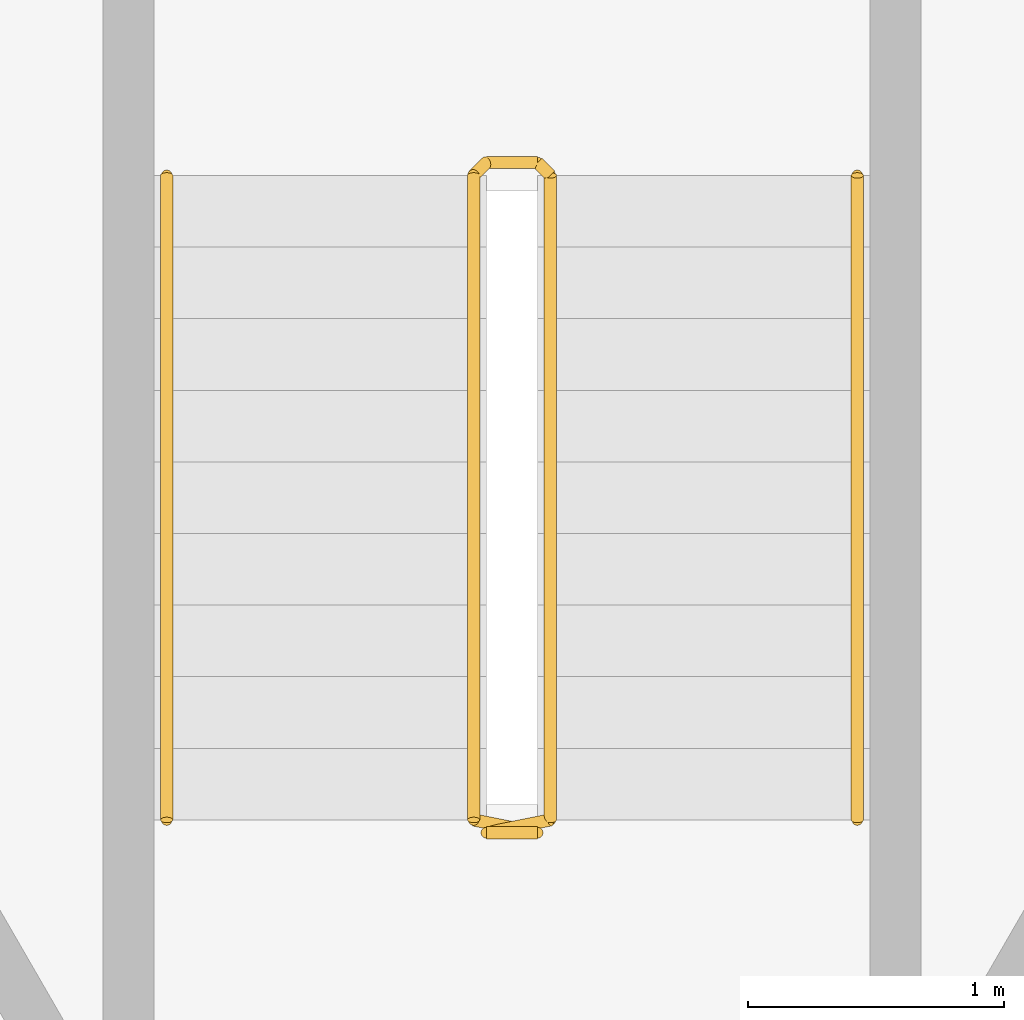
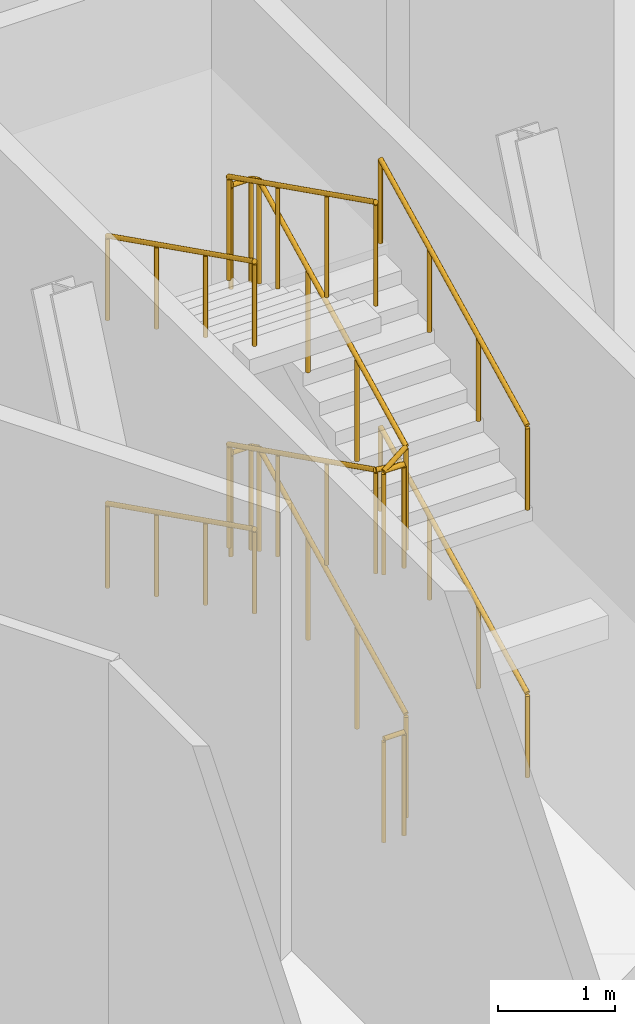
# One storey, part 21 of 25: 6 railings.
"""IFC4 building model written with IfcOpenShell, lengths in metres."""

from ifc_helpers import new_model, si_unit, direction, frame, origin, origin_2d, place, context, subcontext, project, spatial, circle, extrude, material, type_object, element, save


model = new_model("IFC4")

# Units and contexts
model_context = context("Model", 3, precision=1e-05, world=origin(), true_north=direction((0.0, 1.0)))
body_context = subcontext(model_context, "Body", "Model", "MODEL_VIEW")
ifc_project = project(units=[si_unit("LENGTHUNIT", "METRE"), si_unit("AREAUNIT", "SQUARE_METRE"), si_unit("VOLUMEUNIT", "CUBIC_METRE"), si_unit("PLANEANGLEUNIT", "RADIAN"), si_unit("MASSUNIT", "GRAM", prefix="KILO")], contexts=[model_context])

# Site, building, storey
site_placement = place(None, origin())
site = spatial("IfcSite", under=ifc_project, at=site_placement, CompositionType="ELEMENT")
building_placement = place(site_placement, origin())
building = spatial("IfcBuilding", under=site, at=building_placement, Name="Verrane Prism Tower", CompositionType="ELEMENT")
storey_placement = place(building_placement, frame((0.0, 0.0, 143.199951171875)))
storey = spatial("IfcBuildingStorey", under=building, at=storey_placement, Name="L35", CompositionType="ELEMENT", Elevation=143.199951171875)

# Railings
ifc_material_1 = material(Name="Steel A36 rail and posts, no infill", Category="steel")
railing_type_1 = type_object("IfcRailingType", Name="Stair guard 1100 steel rail and posts", PredefinedType="GUARDRAIL", material=ifc_material_1)
railing_1_placement = place(storey_placement, frame((0.14990234375, -13.699951171875, 0.14013671875)))
element("IfcRailing", 1, at=railing_1_placement, inside=storey, type_object=railing_type_1, Name="Stair 3 guard", PredefinedType="GUARDRAIL", context=body_context, shape_type="SweptSolid", body=[
    extrude(circle(Radius=0.02392578125, at=origin_2d()), frame((0.0, 0.0, 1.076171875), z_axis=(0.0, 0.894427191, 0.4472135955), x_axis=(-1.0, 0.0, 0.0)), (0.0, 0.0, 1.0), 2.8173828125),
    extrude(circle(Radius=0.02392578125, at=origin_2d()), frame((0.0, 2.52001953125, 2.3359375), z_axis=(-0.705375805398, 0.708833529934, 0.0), x_axis=(-0.708833529934, -0.705375805398, 0.0)), (0.0, 0.0, 1.0), 0.070556640625),
    extrude(circle(Radius=0.02392578125, at=origin_2d()), frame((-0.0498046875, 2.570068359375, 2.3359375), z_axis=(-1.0, 0.0, 0.0), x_axis=(0.0, -1.0, 0.0)), (0.0, 0.0, 1.0), 0.2001953125),
    extrude(circle(Radius=0.02392578125, at=origin_2d()), frame((-0.25, 2.570068359375, 2.3359375), z_axis=(-0.317831817711, -0.319389816817, 0.892733487982), x_axis=(0.708833529934, -0.705375805398, 0.0)), (0.0, 0.0, 1.0), 0.15673828125),
    extrude(circle(Radius=0.02392578125, at=origin_2d()), frame((-0.2998046875, 2.52001953125, 2.47607421875), z_axis=(0.0, -0.894427191, 0.4472135955), x_axis=(1.0, 0.0, 0.0)), (0.0, 0.0, 1.0), 2.8173828125),
    extrude(circle(Radius=0.02392578125, at=origin_2d()), frame((-0.2998046875, 0.0, 3.73583984375), z_axis=(0.98054382908, -0.196300278283, 0.0), x_axis=(0.196300278283, 0.98054382908, 0.0)), (0.0, 0.0, 1.0), 0.2548828125),
    extrude(circle(Radius=0.02392578125, at=origin_2d()), frame((-0.0498046875, -0.050048828125, 3.73583984375), z_axis=(-1.0, 0.0, 0.0), x_axis=(0.0, -1.0, 0.0)), (0.0, 0.0, 1.0), 0.2001953125),
    extrude(circle(Radius=0.02392578125, at=origin_2d()), frame((-0.25, -0.050048828125, 3.73583984375), z_axis=(0.859645652512, 0.172097030044, 0.481032186415), x_axis=(-0.196300278283, 0.98054382908, 0.0)), (0.0, 0.0, 1.0), 0.290771484375),
    extrude(circle(Radius=0.02392578125, at=origin_2d()), frame((0.0, 0.0, 3.8759765625), z_axis=(0.0, 0.894427191, 0.4472135955), x_axis=(-1.0, 0.0, 0.0)), (0.0, 0.0, 1.0), 2.8173828125),
    extrude(circle(Radius=0.02392578125, at=origin_2d()), frame((0.0, 2.52001953125, 5.1357421875), z_axis=(-0.705375805398, 0.708833529934, 0.0), x_axis=(-0.708833529934, -0.705375805398, 0.0)), (0.0, 0.0, 1.0), 0.070556640625),
    extrude(circle(Radius=0.02392578125, at=origin_2d()), frame((-0.0498046875, 2.570068359375, 5.1357421875), z_axis=(-1.0, 0.0, 0.0), x_axis=(0.0, -1.0, 0.0)), (0.0, 0.0, 1.0), 0.2001953125),
    extrude(circle(Radius=0.02392578125, at=origin_2d()), frame((-0.25, 2.570068359375, 5.1357421875), z_axis=(-0.317390288449, -0.318946123196, 0.89304914495), x_axis=(0.708833529934, -0.705375805398, 0.0)), (0.0, 0.0, 1.0), 0.156982421875),
    extrude(circle(Radius=0.02392578125, at=origin_2d()), frame((-0.2998046875, 2.52001953125, 5.27587890625), z_axis=(0.0, -0.894427191, 0.4472135955), x_axis=(1.0, 0.0, 0.0)), (0.0, 0.0, 1.0), 2.8173828125),
    extrude(circle(Radius=0.02099609375, at=origin_2d()), origin(), (0.0, 0.0, 1.0), 1.052001953125),
    extrude(circle(Radius=0.02099609375, at=origin_2d()), frame((0.0, 0.840087890625, 0.419921875)), (0.0, 0.0, 1.0), 1.052001953125),
    extrude(circle(Radius=0.02099609375, at=origin_2d()), frame((0.0, 1.679931640625, 0.840087890625)), (0.0, 0.0, 1.0), 1.052001953125),
    extrude(circle(Radius=0.02099609375, at=origin_2d()), frame((0.0, 2.52001953125, 1.260009765625)), (0.0, 0.0, 1.0), 1.052001953125),
    extrude(circle(Radius=0.02099609375, at=origin_2d()), frame((-0.0498046875, 2.570068359375, 1.260009765625)), (0.0, 0.0, 1.0), 1.052001953125),
    extrude(circle(Radius=0.02099609375, at=origin_2d()), frame((-0.25, 2.570068359375, 1.260009765625)), (0.0, 0.0, 1.0), 1.052001953125),
    extrude(circle(Radius=0.02099609375, at=origin_2d()), frame((-0.2998046875, 2.52001953125, 1.39990234375)), (0.0, 0.0, 1.0), 1.052001953125),
    extrude(circle(Radius=0.02099609375, at=origin_2d()), frame((-0.2998046875, 1.679931640625, 1.81982421875)), (0.0, 0.0, 1.0), 1.052001953125),
    extrude(circle(Radius=0.02099609375, at=origin_2d()), frame((-0.2998046875, 0.840087890625, 2.239990234375)), (0.0, 0.0, 1.0), 1.052001953125),
    extrude(circle(Radius=0.02099609375, at=origin_2d()), frame((-0.2998046875, 0.0, 2.659912109375)), (0.0, 0.0, 1.0), 1.052001953125),
    extrude(circle(Radius=0.02099609375, at=origin_2d()), frame((-0.0498046875, -0.050048828125, 2.659912109375)), (0.0, 0.0, 1.0), 1.052001953125),
    extrude(circle(Radius=0.02099609375, at=origin_2d()), frame((-0.25, -0.050048828125, 2.659912109375)), (0.0, 0.0, 1.0), 1.052001953125),
    extrude(circle(Radius=0.02099609375, at=origin_2d()), frame((0.0, 0.0, 2.7998046875)), (0.0, 0.0, 1.0), 1.052001953125),
    extrude(circle(Radius=0.02099609375, at=origin_2d()), frame((0.0, 0.840087890625, 3.2197265625)), (0.0, 0.0, 1.0), 1.052001953125),
    extrude(circle(Radius=0.02099609375, at=origin_2d()), frame((0.0, 1.679931640625, 3.639892578125)), (0.0, 0.0, 1.0), 1.052001953125),
    extrude(circle(Radius=0.02099609375, at=origin_2d()), frame((0.0, 2.52001953125, 4.059814453125)), (0.0, 0.0, 1.0), 1.052001953125),
    extrude(circle(Radius=0.02099609375, at=origin_2d()), frame((-0.0498046875, 2.570068359375, 4.059814453125)), (0.0, 0.0, 1.0), 1.052001953125),
    extrude(circle(Radius=0.02099609375, at=origin_2d()), frame((-0.25, 2.570068359375, 4.059814453125)), (0.0, 0.0, 1.0), 1.052001953125),
    extrude(circle(Radius=0.02099609375, at=origin_2d()), frame((-0.2998046875, 2.52001953125, 4.199951171875)), (0.0, 0.0, 1.0), 1.052001953125),
    extrude(circle(Radius=0.02099609375, at=origin_2d()), frame((-0.2998046875, 1.679931640625, 4.619873046875)), (0.0, 0.0, 1.0), 1.052001953125),
    extrude(circle(Radius=0.02099609375, at=origin_2d()), frame((-0.2998046875, 0.840087890625, 5.0400390625)), (0.0, 0.0, 1.0), 1.052001953125),
    extrude(circle(Radius=0.02099609375, at=origin_2d()), frame((-0.2998046875, 0.0, 5.4599609375)), (0.0, 0.0, 1.0), 1.052001953125),
])
railing_2_placement = place(storey_placement, frame((0.10009765625, -13.75, 0.0)))
element("IfcRailing", 2, at=railing_2_placement, inside=storey, type_object=railing_type_1, Name="Stair 3 guard", PredefinedType="GUARDRAIL", context=body_context, shape_type="SweptSolid", body=[
    extrude(circle(Radius=0.02392578125, at=origin_2d()), frame((0.0, 0.0, 1.076171875), z_axis=(-1.0, 0.0, 0.0), x_axis=(0.0, -1.0, 0.0)), (0.0, 0.0, 1.0), 0.2001953125),
    extrude(circle(Radius=0.02099609375, at=origin_2d()), origin(), (0.0, 0.0, 1.0), 1.052001953125),
    extrude(circle(Radius=0.02099609375, at=origin_2d()), frame((-0.2001953125, 0.0, 0.0)), (0.0, 0.0, 1.0), 1.052001953125),
])
ifc_material_2 = material(Name="Steel A36 tube", Category="steel")
railing_type_2 = type_object("IfcRailingType", Name="Stair handrail 900 steel tube", PredefinedType="HANDRAIL", material=ifc_material_2)
railing_3_placement = place(storey_placement, frame((1.35009765625, -13.699951171875, 0.14013671875)))
element("IfcRailing", 3, at=railing_3_placement, inside=storey, type_object=railing_type_2, Name="Stair 3 handrail", PredefinedType="HANDRAIL", context=body_context, shape_type="SweptSolid", body=[
    extrude(circle(Radius=0.02392578125, at=origin_2d()), frame((0.0, 0.0, 0.8759765625), z_axis=(0.0, 0.894427191, 0.4472135955), x_axis=(-1.0, 0.0, 0.0)), (0.0, 0.0, 1.0), 2.8173828125),
    extrude(circle(Radius=0.02099609375, at=origin_2d()), origin(), (0.0, 0.0, 1.0), 0.851806640625),
    extrude(circle(Radius=0.02099609375, at=origin_2d()), frame((0.0, 0.840087890625, 0.419921875)), (0.0, 0.0, 1.0), 0.851806640625),
    extrude(circle(Radius=0.02099609375, at=origin_2d()), frame((0.0, 1.679931640625, 0.840087890625)), (0.0, 0.0, 1.0), 0.851806640625),
    extrude(circle(Radius=0.02099609375, at=origin_2d()), frame((0.0, 2.52001953125, 1.260009765625)), (0.0, 0.0, 1.0), 0.851806640625),
])
railing_4_placement = place(storey_placement, frame((-1.35009765625, -11.179931640625, 1.5400390625)))
element("IfcRailing", 4, at=railing_4_placement, inside=storey, type_object=railing_type_2, Name="Stair 3 handrail", PredefinedType="HANDRAIL", context=body_context, shape_type="SweptSolid", body=[
    extrude(circle(Radius=0.02392578125, at=origin_2d()), frame((0.0, 0.0, 0.8759765625), z_axis=(0.0, -0.894427191, 0.4472135955), x_axis=(1.0, 0.0, 0.0)), (0.0, 0.0, 1.0), 2.8173828125),
    extrude(circle(Radius=0.02099609375, at=origin_2d()), origin(), (0.0, 0.0, 1.0), 0.851806640625),
    extrude(circle(Radius=0.02099609375, at=origin_2d()), frame((0.0, -0.840087890625, 0.419921875)), (0.0, 0.0, 1.0), 0.851806640625),
    extrude(circle(Radius=0.02099609375, at=origin_2d()), frame((0.0, -1.679931640625, 0.840087890625)), (0.0, 0.0, 1.0), 0.851806640625),
    extrude(circle(Radius=0.02099609375, at=origin_2d()), frame((0.0, -2.52001953125, 1.260009765625)), (0.0, 0.0, 1.0), 0.851806640625),
])
railing_5_placement = place(storey_placement, frame((1.35009765625, -13.699951171875, 2.93994140625)))
element("IfcRailing", 5, at=railing_5_placement, inside=storey, type_object=railing_type_2, Name="Stair 3 handrail", PredefinedType="HANDRAIL", context=body_context, shape_type="SweptSolid", body=[
    extrude(circle(Radius=0.02392578125, at=origin_2d()), frame((0.0, 0.0, 0.8759765625), z_axis=(0.0, 0.894427191, 0.4472135955), x_axis=(-1.0, 0.0, 0.0)), (0.0, 0.0, 1.0), 2.8173828125),
    extrude(circle(Radius=0.02099609375, at=origin_2d()), origin(), (0.0, 0.0, 1.0), 0.851806640625),
    extrude(circle(Radius=0.02099609375, at=origin_2d()), frame((0.0, 0.840087890625, 0.419921875)), (0.0, 0.0, 1.0), 0.851806640625),
    extrude(circle(Radius=0.02099609375, at=origin_2d()), frame((0.0, 1.679931640625, 0.840087890625)), (0.0, 0.0, 1.0), 0.851806640625),
    extrude(circle(Radius=0.02099609375, at=origin_2d()), frame((0.0, 2.52001953125, 1.260009765625)), (0.0, 0.0, 1.0), 0.851806640625),
])
railing_6_placement = place(storey_placement, frame((-1.35009765625, -11.179931640625, 4.340087890625)))
element("IfcRailing", 6, at=railing_6_placement, inside=storey, type_object=railing_type_2, Name="Stair 3 handrail", PredefinedType="HANDRAIL", context=body_context, shape_type="SweptSolid", body=[
    extrude(circle(Radius=0.02392578125, at=origin_2d()), frame((0.0, 0.0, 0.8759765625), z_axis=(0.0, -0.894427191, 0.4472135955), x_axis=(1.0, 0.0, 0.0)), (0.0, 0.0, 1.0), 2.8173828125),
    extrude(circle(Radius=0.02099609375, at=origin_2d()), origin(), (0.0, 0.0, 1.0), 0.851806640625),
    extrude(circle(Radius=0.02099609375, at=origin_2d()), frame((0.0, -0.840087890625, 0.419921875)), (0.0, 0.0, 1.0), 0.851806640625),
    extrude(circle(Radius=0.02099609375, at=origin_2d()), frame((0.0, -1.679931640625, 0.840087890625)), (0.0, 0.0, 1.0), 0.851806640625),
    extrude(circle(Radius=0.02099609375, at=origin_2d()), frame((0.0, -2.52001953125, 1.260009765625)), (0.0, 0.0, 1.0), 0.851806640625),
])

save(model, "model.ifc")
